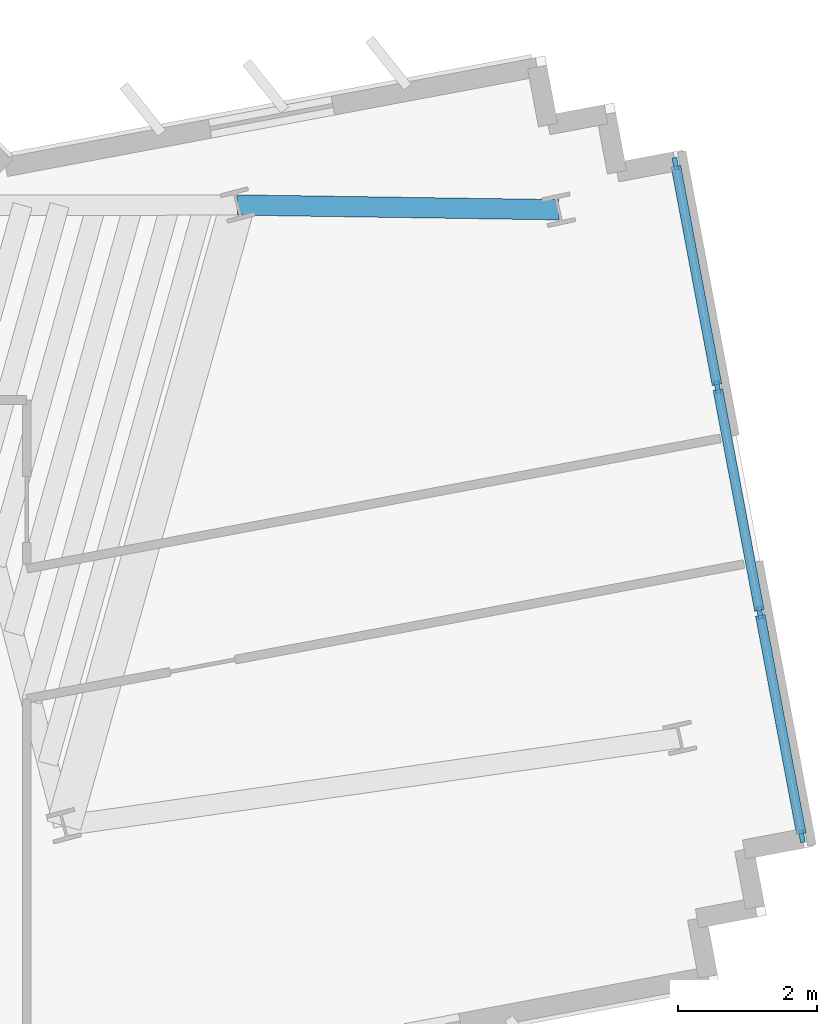
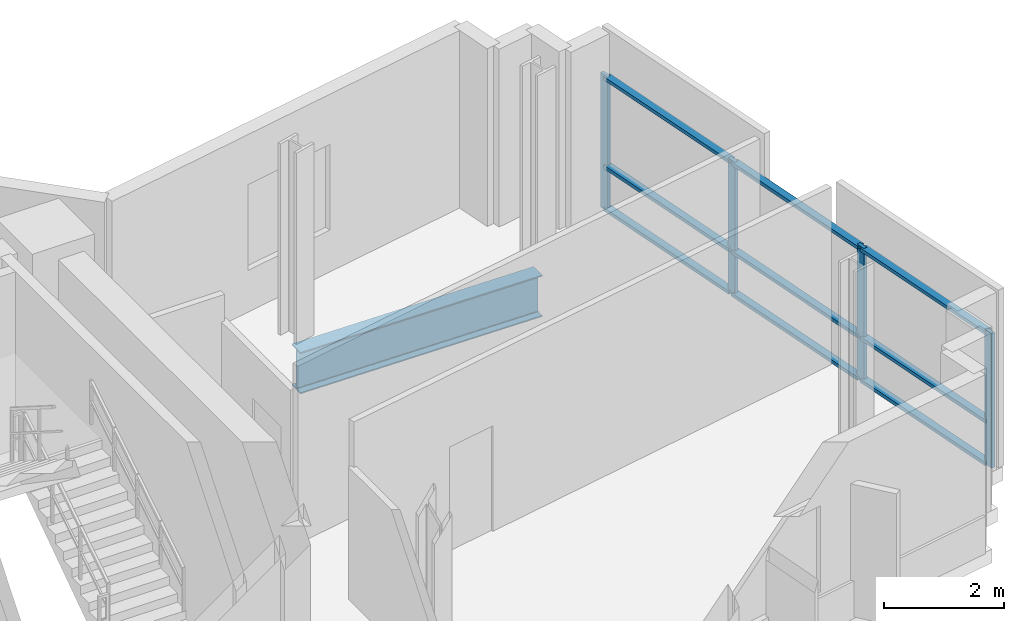
# One storey, part 6 of 16: 13 members, 1 beam, 1 element without a shape of its own.
"""IFC4 building model written with IfcOpenShell, lengths in metres."""

import ifcopenshell
import ifcopenshell.guid

model = None  # the IFC model being written
_history = None  # IfcOwnerHistory: only IFC2X3 demands one
_inside = {}  # id of a spatial element -> (the spatial element, [elements in it])
_under = {}  # id of a project, library or spatial element -> (it, [spatial elements below it])
_declared = {}  # id of a project -> (the project, [libraries it declares])
_typed = {}  # id of a type object -> (the type object, [elements of that type])
_made_of = {}  # id of a material, layer set ... -> (it, [elements and type objects made of it])


def new_model(schema):
    """Start an empty IFC model of exactly this schema.

    Asked for "IFC4X3", IfcOpenShell would pick the latest addendum, in which some entities
    have other attributes; the version numbers below select the first issue.
    IFC2X3 requires an IfcOwnerHistory on every rooted entity: one is made here for all.
    """
    global model, _history
    if schema == "IFC4X3":
        model = ifcopenshell.file(schema_version=(4, 3, 0, 0))
    else:
        model = ifcopenshell.file(schema=schema)
    _inside.clear()
    _under.clear()
    _declared.clear()
    _typed.clear()
    _made_of.clear()
    _history = None
    if model.schema == "IFC2X3":
        org = make("IfcOrganization", Name="unknown")
        user = make(
            "IfcPersonAndOrganization",
            ThePerson=make("IfcPerson", FamilyName="unknown"),
            TheOrganization=org,
        )
        app = make(
            "IfcApplication",
            ApplicationDeveloper=org,
            Version="unknown",
            ApplicationFullName="unknown",
            ApplicationIdentifier="unknown",
        )
        _history = make(
            "IfcOwnerHistory",
            OwningUser=user,
            OwningApplication=app,
            ChangeAction="ADDED",
            CreationDate=0,
        )
    return model


def make(cls, **values):
    """One entity of the class cls with the attributes given. An attribute that is None is left unset."""
    return model.create_entity(
        cls, **{name: value for name, value in values.items() if value is not None}
    )


def rooted(cls, **values):
    """An entity with a GlobalId (a new one), such as an element, a storey or a relation."""
    return make(cls, GlobalId=ifcopenshell.guid.new(), OwnerHistory=_history, **values)


def si_unit(unit_type, name, prefix=None):
    """IfcSIUnit, for example si_unit("LENGTHUNIT", "METRE", prefix="MILLI")."""
    return make("IfcSIUnit", UnitType=unit_type, Prefix=prefix, Name=name)


def assignment(units):
    """IfcUnitAssignment: the units of a project."""
    return None if units is None else make("IfcUnitAssignment", Units=units)


def point(xyz):
    """IfcCartesianPoint."""
    return None if xyz is None else make("IfcCartesianPoint", Coordinates=xyz)


def direction(xyz):
    """IfcDirection."""
    return None if xyz is None else make("IfcDirection", DirectionRatios=xyz)


def frame(location, z_axis=None, x_axis=None):
    """IfcAxis2Placement3D, a coordinate frame: its origin and axes. An axis left out is left unset."""
    return make(
        "IfcAxis2Placement3D",
        Location=point(location),
        Axis=direction(z_axis),
        RefDirection=direction(x_axis),
    )


def frame_2d(location, x_axis=None):
    """IfcAxis2Placement2D, a coordinate frame in the plane: its origin and x axis."""
    return make(
        "IfcAxis2Placement2D", Location=point(location), RefDirection=direction(x_axis)
    )


def origin():
    """The frame at (0, 0, 0) with its axes left unset."""
    return frame((0.0, 0.0, 0.0))


def origin_2d():
    """The frame at (0, 0) in the plane with its x axis left unset."""
    return frame_2d((0.0, 0.0))


def place(relative_to, where):
    """IfcLocalPlacement: puts the frame where relative to a parent placement (None: the world)."""
    return make(
        "IfcLocalPlacement", PlacementRelTo=relative_to, RelativePlacement=where
    )


def context(
    kind, dimensions, precision=None, world=None, true_north=None, identifier=None
):
    """IfcGeometricRepresentationContext, for example the 3D "Model" context."""
    return make(
        "IfcGeometricRepresentationContext",
        ContextIdentifier=identifier,
        ContextType=kind,
        CoordinateSpaceDimension=dimensions,
        Precision=precision,
        WorldCoordinateSystem=world,
        TrueNorth=true_north,
    )


def subcontext(parent, identifier, kind, view, scale=None):
    """IfcGeometricRepresentationSubContext, for example "Body" below "Model"."""
    return make(
        "IfcGeometricRepresentationSubContext",
        ContextIdentifier=identifier,
        ContextType=kind,
        ParentContext=parent,
        TargetScale=scale,
        TargetView=view,
    )


def project(units=None, contexts=None):
    """IfcProject with its units and contexts."""
    return rooted(
        "IfcProject",
        Name="project",
        RepresentationContexts=contexts,
        UnitsInContext=assignment(units),
    )


def spatial(cls, under=None, at=None, **own):
    """A site, building, storey or space (cls), placed at a placement, below another one or the project."""
    s = rooted(cls, ObjectPlacement=at, **own)
    if under is not None:
        _under.setdefault(under.id(), (under, []))[1].append(s)
    return s


def profile(cls, at=None, kind="AREA", **sizes):
    """A parametric profile (cls). Its sizes go by their IFC names, for example OverallWidth=200.0."""
    return make(cls, ProfileType=kind, Position=at, **sizes)


def rectangle(**sizes):
    """IfcRectangleProfileDef."""
    return profile("IfcRectangleProfileDef", **sizes)


def i_section(**sizes):
    """IfcIShapeProfileDef."""
    return profile("IfcIShapeProfileDef", **sizes)


def extrude(swept, where, along, depth):
    """IfcExtrudedAreaSolid: the profile swept, set in the frame where, extruded along a direction by depth."""
    return make(
        "IfcExtrudedAreaSolid",
        SweptArea=swept,
        Position=where,
        ExtrudedDirection=direction(along),
        Depth=depth,
    )


def shape(context_of_items, identifier, shape_type, items):
    """IfcShapeRepresentation: the items that make up one representation, for example the "Body"."""
    return make(
        "IfcShapeRepresentation",
        ContextOfItems=context_of_items,
        RepresentationIdentifier=identifier,
        RepresentationType=shape_type,
        Items=items,
    )


def source(mapping_origin, context_of_items, identifier, shape_type, items):
    """IfcRepresentationMap: a shape defined once, which mapped items show again and again."""
    return make(
        "IfcRepresentationMap",
        MappingOrigin=mapping_origin,
        MappedRepresentation=shape(context_of_items, identifier, shape_type, items),
    )


def transform(
    local_origin,
    x_axis=None,
    y_axis=None,
    z_axis=None,
    scale=None,
    scale2=None,
    scale3=None,
    uniform=True,
):
    """IfcCartesianTransformationOperator3D, or its non-uniform kind. x_axis, y_axis, z_axis: its Axis1, 2, 3."""
    if uniform:
        return make(
            "IfcCartesianTransformationOperator3D",
            Axis1=direction(x_axis),
            Axis2=direction(y_axis),
            LocalOrigin=point(local_origin),
            Scale=scale,
            Axis3=direction(z_axis),
        )
    return make(
        "IfcCartesianTransformationOperator3DnonUniform",
        Axis1=direction(x_axis),
        Axis2=direction(y_axis),
        LocalOrigin=point(local_origin),
        Scale=scale,
        Axis3=direction(z_axis),
        Scale2=scale2,
        Scale3=scale3,
    )


def mapped(mapping_source, mapping_target):
    """IfcMappedItem: shows the shape of a source again, moved by a transform."""
    return make(
        "IfcMappedItem", MappingSource=mapping_source, MappingTarget=mapping_target
    )


def material(Name=None, Category=None):
    """IfcMaterial."""
    return make("IfcMaterial", Name=Name, Category=Category)


def layer(
    of_material, thickness, ventilated=None, Name=None, Category=None, Priority=None
):
    """IfcMaterialLayer: one layer of a wall or slab, of a material (None: an air gap)."""
    return make(
        "IfcMaterialLayer",
        Material=of_material,
        LayerThickness=thickness,
        IsVentilated=ventilated,
        Name=Name,
        Category=Category,
        Priority=Priority,
    )


def layer_set(layers, Name=None):
    """IfcMaterialLayerSet."""
    return make("IfcMaterialLayerSet", MaterialLayers=layers, LayerSetName=Name)


def material_profile(
    of_material, cross_section, Name=None, Category=None, Priority=None
):
    """IfcMaterialProfile: a cross section and its material."""
    return make(
        "IfcMaterialProfile",
        Name=Name,
        Material=of_material,
        Profile=cross_section,
        Priority=Priority,
        Category=Category,
    )


def profile_set(profiles, Name=None, composite=None):
    """IfcMaterialProfileSet."""
    return make(
        "IfcMaterialProfileSet",
        Name=Name,
        MaterialProfiles=profiles,
        CompositeProfile=composite,
    )


def made_of(thing, what):
    """Note that an element or type object is made of a material, layer set ...; save() writes the relation."""
    if what is not None:
        _made_of.setdefault(what.id(), (what, []))[1].append(thing)
    return thing


def type_object(cls, material=None, **own):
    """A type object (cls), such as IfcWallType, which elements share."""
    return made_of(rooted(cls, **own), material)


def element(
    cls,
    number,
    at=None,
    inside=None,
    cuts=None,
    type_object=None,
    material=None,
    context=None,
    identifier="Body",
    shape_type=None,
    held_by="IfcProductDefinitionShape",
    body=None,
    shapes=None,
    **own,
):
    """One element of the class cls, such as IfcWall. Its Tag is "e" and its number.

    at: its placement. inside: the storey or other place that contains it. cuts: it is an
    opening in that element (IfcRelVoidsElement). A single representation is given by context,
    identifier, shape_type and body (its items); several are given by shapes. held_by: the class
    of the entity that holds the representations. save() writes the other relations.
    """
    e = rooted(cls, Tag="e%d" % number, ObjectPlacement=at, **own)
    if body is not None:
        shapes = [shape(context, identifier, shape_type, body)]
    if shapes is not None:
        e.Representation = make(held_by, Representations=shapes)
    if inside is not None:
        _inside.setdefault(inside.id(), (inside, []))[1].append(e)
    if cuts is not None:
        rooted(
            "IfcRelVoidsElement", RelatingBuildingElement=cuts, RelatedOpeningElement=e
        )
    if type_object is not None:
        _typed.setdefault(type_object.id(), (type_object, []))[1].append(e)
    return made_of(e, material)


def aggregate(whole, parts):
    """IfcRelAggregates: a whole, such as a stair, and the parts it consists of."""
    return rooted("IfcRelAggregates", RelatingObject=whole, RelatedObjects=parts)


def save(model, path):
    """Write the relations noted so far, then the file.

    IfcRelAggregates (storeys below a building ...), IfcRelContainedInSpatialStructure (elements
    in a storey), IfcRelDefinesByType, IfcRelAssociatesMaterial and IfcRelDeclares: one each for
    every whole, place, type object, material and project.
    """
    for whole, parts in _under.values():
        aggregate(whole, parts)
    for where, things in _inside.values():
        rooted(
            "IfcRelContainedInSpatialStructure",
            RelatedElements=things,
            RelatingStructure=where,
        )
    for kind, things in _typed.values():
        rooted("IfcRelDefinesByType", RelatedObjects=things, RelatingType=kind)
    for what, things in _made_of.values():
        rooted("IfcRelAssociatesMaterial", RelatedObjects=things, RelatingMaterial=what)
    for by, libraries in _declared.values():
        rooted("IfcRelDeclares", RelatingContext=by, RelatedDefinitions=libraries)
    model.write(path)


model = new_model("IFC4")

# Units and contexts
model_context = context("Model", 3, precision=1e-05, world=origin(), true_north=direction((0.0, 1.0)))
body_context = subcontext(model_context, "Body", "Model", "MODEL_VIEW")
ifc_project = project(units=[si_unit("LENGTHUNIT", "METRE"), si_unit("AREAUNIT", "SQUARE_METRE"), si_unit("VOLUMEUNIT", "CUBIC_METRE"), si_unit("PLANEANGLEUNIT", "RADIAN"), si_unit("MASSUNIT", "GRAM", prefix="KILO")], contexts=[model_context])

# Site, building, storey
site_placement = place(None, origin())
site = spatial("IfcSite", under=ifc_project, at=site_placement, CompositionType="ELEMENT")
building_placement = place(site_placement, origin())
building = spatial("IfcBuilding", under=site, at=building_placement, Name="Zahravan Cultural Tower", CompositionType="ELEMENT")
storey_placement = place(building_placement, frame((0.0, 0.0, 155.10009765625)))
storey = spatial("IfcBuildingStorey", under=building, at=storey_placement, Name="L35", CompositionType="ELEMENT", Elevation=155.10009765625)

# Beam
ifc_material_1 = material(Name="Steel ASTM A992 Grade 50", Category="steel")
ifc_material_profile_1 = material_profile(ifc_material_1, i_section(OverallWidth=0.29296875, OverallDepth=0.845947265625, WebThickness=0.015380859375, FlangeThickness=0.0244140625, FilletRadius=0.02001953125, at=origin_2d()), Name="W33X141")
ifc_profile_set_1 = profile_set([ifc_material_profile_1], Name="Steel ASTM A992 Grade 50")
beam_type = type_object("IfcBeamType", Name="BM-G-W33X141", PredefinedType="BEAM", material=ifc_profile_set_1)
shared_shape_1 = source(origin(), body_context, "Body", "SweptSolid", [
    extrude(i_section(OverallWidth=0.29296875, OverallDepth=0.845947265625, WebThickness=0.015380859375, FlangeThickness=0.0244140625, FilletRadius=0.02001953125, at=origin_2d()), origin(), (0.0, 0.0, 1.0), 4.622314453125),
])
beam_placement = place(storey_placement, frame((55.184814453125, 36.2060546875, -0.703125), z_axis=(0.999889070044, -0.014894549562, 0.0), x_axis=(0.014894549562, 0.999889070044, 0.0)))
element("IfcBeam", 1, at=beam_placement, inside=storey, type_object=beam_type, Name="L35 Beam BG-L35-16", PredefinedType="BEAM", context=body_context, shape_type="MappedRepresentation", body=[
    mapped(shared_shape_1, transform((0.0, 0.0, 0.0), x_axis=(1.0, 0.0, 0.0), y_axis=(0.0, 1.0, 0.0), z_axis=(0.0, 0.0, 1.0), scale=1.0)),
])

# Curtain wall, members
ifc_material_2 = material(Name="Anodised bronze-aluminium mullion", Category="aluminium")
ifc_layer = layer(ifc_material_2, 0.179931640625)
ifc_layer_set = layer_set([ifc_layer], Name="Anodised bronze-aluminium mullion")
curtain_wall_type = type_object("IfcCurtainWallType", Name="CW-SYS-3", PredefinedType="USERDEFINED", material=ifc_layer_set)
curtain_wall_placement = place(storey_placement, origin())
curtain_wall = element("IfcCurtainWall", 2, at=curtain_wall_placement, inside=storey, type_object=curtain_wall_type, Name="L35 Recessed Curtain Wall CW-3.1", ObjectType="RECESSED GLAZING", PredefinedType="USERDEFINED")
ifc_material_profile_2 = material_profile(ifc_material_2, rectangle(XDim=0.070068359375, YDim=0.179931640625, at=origin_2d()), Name="AL-M70X180")
ifc_profile_set_2 = profile_set([ifc_material_profile_2], Name="Anodised bronze-aluminium mullion")
member_type_1 = type_object("IfcMemberType", Name="CWM-CW-3", PredefinedType="MULLION", material=ifc_profile_set_2)
shared_shape_2 = source(origin(), body_context, "Body", "SweptSolid", [
    extrude(rectangle(XDim=0.070068359375, YDim=0.179931640625, at=origin_2d()), origin(), (0.0, 0.0, 1.0), 2.739990234375),
])
member_1_placement = place(storey_placement, frame((61.48876953125, 36.7998046875, 0.0), z_axis=(0.0, 0.0, 1.0), x_axis=(0.982806619389, 0.184637885835, 0.0)))
member_1 = element("IfcMember", 3, at=member_1_placement, type_object=member_type_1, Name="CW-3 mullion 1", PredefinedType="MULLION", context=body_context, shape_type="MappedRepresentation", body=[
    mapped(shared_shape_2, transform((0.0, 0.0, 0.0), x_axis=(1.0, 0.0, 0.0), y_axis=(0.0, 1.0, 0.0), z_axis=(0.0, 0.0, 1.0), scale=1.0)),
])
member_2_placement = place(storey_placement, frame((62.093017578125, 33.584228515625, 0.0), z_axis=(0.0, 0.0, 1.0), x_axis=(0.982806619389, 0.184637885835, 0.0)))
member_2 = element("IfcMember", 4, at=member_2_placement, type_object=member_type_1, Name="CW-3 mullion 2", PredefinedType="MULLION", context=body_context, shape_type="MappedRepresentation", body=[
    mapped(shared_shape_2, transform((0.0, 0.0, 0.0), x_axis=(1.0, 0.0, 0.0), y_axis=(0.0, 1.0, 0.0), z_axis=(0.0, 0.0, 1.0), scale=1.0)),
])
member_3_placement = place(storey_placement, frame((62.703369140625, 30.33447265625, 0.0), z_axis=(0.0, 0.0, 1.0), x_axis=(0.982806619389, 0.184637885835, 0.0)))
member_3 = element("IfcMember", 5, at=member_3_placement, type_object=member_type_1, Name="CW-3 mullion 3", PredefinedType="MULLION", context=body_context, shape_type="MappedRepresentation", body=[
    mapped(shared_shape_2, transform((0.0, 0.0, 0.0), x_axis=(1.0, 0.0, 0.0), y_axis=(0.0, 1.0, 0.0), z_axis=(0.0, 0.0, 1.0), scale=1.0)),
])
member_4_placement = place(storey_placement, frame((63.3076171875, 27.119140625, 0.0), z_axis=(0.0, 0.0, 1.0), x_axis=(0.982806619389, 0.184637885835, 0.0)))
member_4 = element("IfcMember", 6, at=member_4_placement, type_object=member_type_1, Name="CW-3 mullion 4", PredefinedType="MULLION", context=body_context, shape_type="MappedRepresentation", body=[
    mapped(shared_shape_2, transform((0.0, 0.0, 0.0), x_axis=(1.0, 0.0, 0.0), y_axis=(0.0, 1.0, 0.0), z_axis=(0.0, 0.0, 1.0), scale=1.0)),
])
ifc_material_profile_3 = material_profile(ifc_material_2, rectangle(XDim=0.139892578125, YDim=0.070068359375, at=origin_2d()), Name="AL-T70X140")
ifc_profile_set_3 = profile_set([ifc_material_profile_3], Name="Anodised bronze-aluminium mullion")
member_type_2 = type_object("IfcMemberType", Name="CWT-CW-3", PredefinedType="USERDEFINED", material=ifc_profile_set_3)
shared_shape_3 = source(origin(), body_context, "Body", "SweptSolid", [
    extrude(rectangle(XDim=0.139892578125, YDim=0.070068359375, at=origin_2d()), origin(), (0.0, 0.0, 1.0), 3.20166015625),
])
member_5_placement = place(storey_placement, frame((61.495361328125, 36.765380859375, 0.034912109375), z_axis=(0.18460619431, -0.982812572682, 0.0), x_axis=(0.982812572682, 0.18460619431, 0.0)))
member_5 = element("IfcMember", 7, at=member_5_placement, type_object=member_type_2, Name="CW-3 transom 1.1", ObjectType="TRANSOM", PredefinedType="USERDEFINED", context=body_context, shape_type="MappedRepresentation", body=[
    mapped(shared_shape_3, transform((0.0, 0.0, 0.0), x_axis=(1.0, 0.0, 0.0), y_axis=(0.0, 1.0, 0.0), z_axis=(0.0, 0.0, 1.0), scale=1.0)),
])
member_6_placement = place(storey_placement, frame((61.495361328125, 36.765380859375, 0.89990234375), z_axis=(0.18460619431, -0.982812572682, 0.0), x_axis=(0.982812572682, 0.18460619431, 0.0)))
member_6 = element("IfcMember", 8, at=member_6_placement, type_object=member_type_2, Name="CW-3 transom 1.2", ObjectType="TRANSOM", PredefinedType="USERDEFINED", context=body_context, shape_type="MappedRepresentation", body=[
    mapped(shared_shape_3, transform((0.0, 0.0, 0.0), x_axis=(1.0, 0.0, 0.0), y_axis=(0.0, 1.0, 0.0), z_axis=(0.0, 0.0, 1.0), scale=1.0)),
])
member_7_placement = place(storey_placement, frame((61.495361328125, 36.765380859375, 2.704833984375), z_axis=(0.18460619431, -0.982812572682, 0.0), x_axis=(0.982812572682, 0.18460619431, 0.0)))
member_7 = element("IfcMember", 9, at=member_7_placement, type_object=member_type_2, Name="CW-3 transom 1.3", ObjectType="TRANSOM", PredefinedType="USERDEFINED", context=body_context, shape_type="MappedRepresentation", body=[
    mapped(shared_shape_3, transform((0.0, 0.0, 0.0), x_axis=(1.0, 0.0, 0.0), y_axis=(0.0, 1.0, 0.0), z_axis=(0.0, 0.0, 1.0), scale=1.0)),
])
shared_shape_4 = source(origin(), body_context, "Body", "SweptSolid", [
    extrude(rectangle(XDim=0.139892578125, YDim=0.070068359375, at=origin_2d()), origin(), (0.0, 0.0, 1.0), 3.236572265625),
])
member_8_placement = place(storey_placement, frame((62.099365234375, 33.5498046875, 0.034912109375), z_axis=(0.184657427029, -0.982802948023, 0.0), x_axis=(0.982802948023, 0.184657427029, 0.0)))
member_8 = element("IfcMember", 10, at=member_8_placement, type_object=member_type_2, Name="CW-3 transom 2.1", ObjectType="TRANSOM", PredefinedType="USERDEFINED", context=body_context, shape_type="MappedRepresentation", body=[
    mapped(shared_shape_4, transform((0.0, 0.0, 0.0), x_axis=(1.0, 0.0, 0.0), y_axis=(0.0, 1.0, 0.0), z_axis=(0.0, 0.0, 1.0), scale=1.0)),
])
member_9_placement = place(storey_placement, frame((62.099365234375, 33.5498046875, 0.89990234375), z_axis=(0.184657427029, -0.982802948023, 0.0), x_axis=(0.982802948023, 0.184657427029, 0.0)))
member_9 = element("IfcMember", 11, at=member_9_placement, type_object=member_type_2, Name="CW-3 transom 2.2", ObjectType="TRANSOM", PredefinedType="USERDEFINED", context=body_context, shape_type="MappedRepresentation", body=[
    mapped(shared_shape_4, transform((0.0, 0.0, 0.0), x_axis=(1.0, 0.0, 0.0), y_axis=(0.0, 1.0, 0.0), z_axis=(0.0, 0.0, 1.0), scale=1.0)),
])
member_10_placement = place(storey_placement, frame((62.099365234375, 33.5498046875, 2.704833984375), z_axis=(0.184657427029, -0.982802948023, 0.0), x_axis=(0.982802948023, 0.184657427029, 0.0)))
member_10 = element("IfcMember", 12, at=member_10_placement, type_object=member_type_2, Name="CW-3 transom 2.3", ObjectType="TRANSOM", PredefinedType="USERDEFINED", context=body_context, shape_type="MappedRepresentation", body=[
    mapped(shared_shape_4, transform((0.0, 0.0, 0.0), x_axis=(1.0, 0.0, 0.0), y_axis=(0.0, 1.0, 0.0), z_axis=(0.0, 0.0, 1.0), scale=1.0)),
])
shared_shape_5 = source(origin(), body_context, "Body", "SweptSolid", [
    extrude(rectangle(XDim=0.139892578125, YDim=0.070068359375, at=origin_2d()), origin(), (0.0, 0.0, 1.0), 3.201416015625),
])
member_11_placement = place(storey_placement, frame((62.7099609375, 30.300048828125, 0.034912109375), z_axis=(0.184620029988, -0.982809973763, 0.0), x_axis=(0.982809973763, 0.184620029988, 0.0)))
member_11 = element("IfcMember", 13, at=member_11_placement, type_object=member_type_2, Name="CW-3 transom 3.1", ObjectType="TRANSOM", PredefinedType="USERDEFINED", context=body_context, shape_type="MappedRepresentation", body=[
    mapped(shared_shape_5, transform((0.0, 0.0, 0.0), x_axis=(1.0, 0.0, 0.0), y_axis=(0.0, 1.0, 0.0), z_axis=(0.0, 0.0, 1.0), scale=1.0)),
])
member_12_placement = place(storey_placement, frame((62.7099609375, 30.300048828125, 0.89990234375), z_axis=(0.184620029988, -0.982809973763, 0.0), x_axis=(0.982809973763, 0.184620029988, 0.0)))
member_12 = element("IfcMember", 14, at=member_12_placement, type_object=member_type_2, Name="CW-3 transom 3.2", ObjectType="TRANSOM", PredefinedType="USERDEFINED", context=body_context, shape_type="MappedRepresentation", body=[
    mapped(shared_shape_5, transform((0.0, 0.0, 0.0), x_axis=(1.0, 0.0, 0.0), y_axis=(0.0, 1.0, 0.0), z_axis=(0.0, 0.0, 1.0), scale=1.0)),
])
member_13_placement = place(storey_placement, frame((62.7099609375, 30.300048828125, 2.704833984375), z_axis=(0.184620029988, -0.982809973763, 0.0), x_axis=(0.982809973763, 0.184620029988, 0.0)))
member_13 = element("IfcMember", 15, at=member_13_placement, type_object=member_type_2, Name="CW-3 transom 3.3", ObjectType="TRANSOM", PredefinedType="USERDEFINED", context=body_context, shape_type="MappedRepresentation", body=[
    mapped(shared_shape_5, transform((0.0, 0.0, 0.0), x_axis=(1.0, 0.0, 0.0), y_axis=(0.0, 1.0, 0.0), z_axis=(0.0, 0.0, 1.0), scale=1.0)),
])
aggregate(curtain_wall, [member_1, member_2, member_3, member_4, member_5, member_6, member_7, member_8, member_9, member_10, member_11, member_12, member_13])

save(model, "model.ifc")
